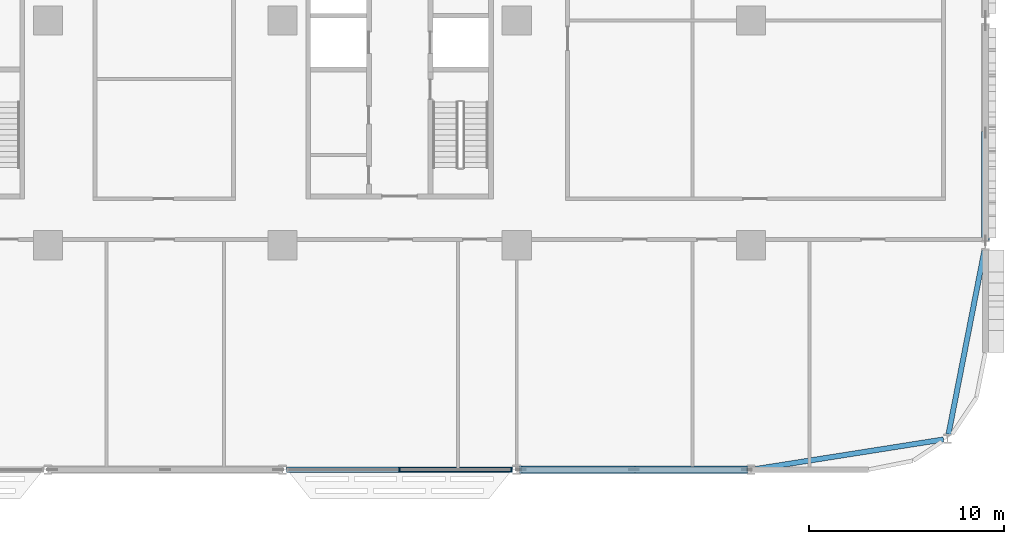
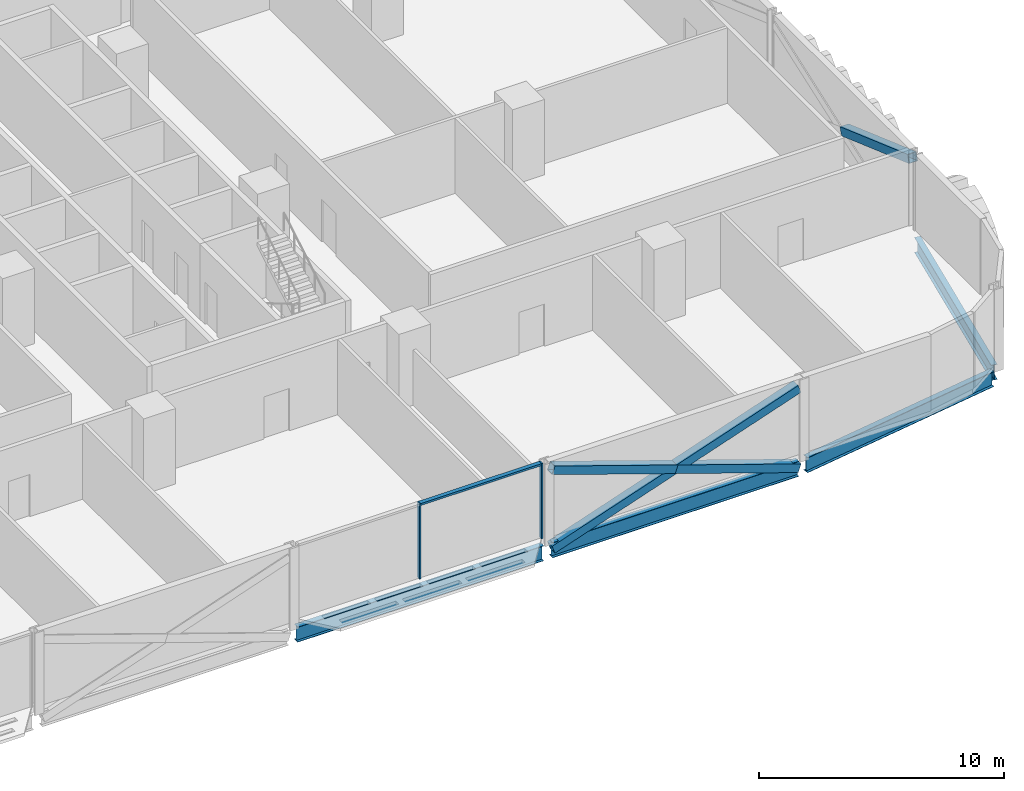
# One storey, part 8 of 29: 7 members, 4 beams, 1 element without a shape of its own.
"""IFC4 building model written with IfcOpenShell, lengths in metres."""

from ifc_helpers import new_model, si_unit, direction, frame, origin, origin_2d, place, context, subcontext, project, spatial, rectangle, hollow_rectangle, i_section, extrude, material, material_profile, profile_set, type_object, element, aggregate, save


model = new_model("IFC4")

# Units and contexts
model_context = context("Model", 3, precision=1e-05, world=origin(), true_north=direction((0.0, 1.0)))
body_context = subcontext(model_context, "Body", "Model", "MODEL_VIEW")
ifc_project = project(units=[si_unit("LENGTHUNIT", "METRE"), si_unit("AREAUNIT", "SQUARE_METRE"), si_unit("VOLUMEUNIT", "CUBIC_METRE"), si_unit("PLANEANGLEUNIT", "RADIAN"), si_unit("MASSUNIT", "GRAM", prefix="KILO")], contexts=[model_context])

# Site, building, storey
site_placement = place(None, origin())
site = spatial("IfcSite", under=ifc_project, at=site_placement, CompositionType="ELEMENT")
building_placement = place(site_placement, origin())
building = spatial("IfcBuilding", under=site, at=building_placement, Name="Mahtab Terrace Research Tower", CompositionType="ELEMENT")
storey_placement = place(building_placement, frame((0.0, 0.0, 76.10009765625)))
storey = spatial("IfcBuildingStorey", under=building, at=storey_placement, Name="L17", CompositionType="ELEMENT", Elevation=76.10009765625)

# Members
ifc_material_1 = material(Name="Steel ASTM A500 Gr C", Category="steel")
ifc_material_profile_1 = material_profile(ifc_material_1, hollow_rectangle(XDim=0.406494140625, YDim=0.406494140625, WallThickness=0.01904296875, at=origin_2d()), Name="HSS16X16X3/4")
ifc_profile_set_1 = profile_set([ifc_material_profile_1], Name="Steel ASTM A500 Gr C")
member_type_1 = type_object("IfcMemberType", Name="HSS 16x16x3/4 brace XB161634", PredefinedType="BRACE", material=ifc_profile_set_1)
member_1_placement = place(storey_placement, frame((30.212158203125, -23.0, -0.646240234375), z_axis=(0.946533742382, 0.0, 0.322604827201), x_axis=(0.0, 1.0, 0.0)))
element("IfcMember", 1, at=member_1_placement, inside=storey, type_object=member_type_1, Name="Exoskeleton brace L17 19 a", PredefinedType="BRACE", context=body_context, shape_type="SweptSolid", body=[
    extrude(hollow_rectangle(XDim=0.406494140625, YDim=0.406494140625, WallThickness=0.01904296875, at=origin_2d()), origin(), (0.0, 0.0, 1.0), 12.2294921875),
])
for number, where, z_axis, x_axis, name in (
    (2, (41.787841796875, -23.0, -0.646240234375), (-0.946533742382, 0.0, 0.322604827201), (0.0, -1.0, 0.0), "Exoskeleton brace L17 19 b1"),
    (3, (36.0, -23.0, 1.326416015625), (-0.946533742382, 0.0, 0.322604827201), (0.0, -1.0, 0.0), "Exoskeleton brace L17 19 b2"),
):
    element("IfcMember", number, at=place(storey_placement, frame(where, z_axis=z_axis, x_axis=x_axis)), inside=storey, type_object=member_type_1, Name=name, PredefinedType="BRACE", context=body_context, shape_type="SweptSolid", body=[
        extrude(hollow_rectangle(XDim=0.406494140625, YDim=0.406494140625, WallThickness=0.01904296875, at=origin_2d()), origin(), (0.0, 0.0, 1.0), 6.11474609375),
    ])
member_2_placement = place(storey_placement, frame((54.0, -5.75, 1.326416015625), z_axis=(0.0, -0.942189515098, 0.335080464424), x_axis=(1.0, 0.0, 0.0)))
element("IfcMember", 4, at=member_2_placement, inside=storey, type_object=member_type_1, Name="Exoskeleton brace L17 22 b2", PredefinedType="BRACE", context=body_context, shape_type="SweptSolid", body=[
    extrude(hollow_rectangle(XDim=0.406494140625, YDim=0.406494140625, WallThickness=0.01904296875, at=origin_2d()), origin(), (0.0, 0.0, 1.0), 5.8505859375),
])

# Curtain wall, members
ifc_material_2 = material(Name="Laboratory ribbon curtain wall")
curtain_wall_type = type_object("IfcCurtainWallType", Name="Laboratory ribbon curtain wall", PredefinedType="NOTDEFINED", material=ifc_material_2)
curtain_wall_placement = place(storey_placement, origin())
curtain_wall = element("IfcCurtainWall", 5, at=curtain_wall_placement, inside=storey, type_object=curtain_wall_type, Name="EN.L17.13.28", PredefinedType="NOTDEFINED")
ifc_material_3 = material(Name="Natural anodised aluminium", Category="aluminium")
ifc_material_profile_2 = material_profile(ifc_material_3, rectangle(XDim=0.199951171875, YDim=0.06494140625, at=origin_2d()), Name="MULLION 65x200")
ifc_profile_set_2 = profile_set([ifc_material_profile_2], Name="Natural anodised aluminium")
member_type_2 = type_object("IfcMemberType", Name="Laboratory ribbon curtain wall mullion", PredefinedType="MULLION", material=ifc_profile_set_2)
member_3_placement = place(storey_placement, frame((24.0, -23.0, 0.0), z_axis=(0.0, 0.0, 1.0), x_axis=(0.0, 1.0, 0.0)))
member_3 = element("IfcMember", 6, at=member_3_placement, type_object=member_type_2, Name="CWL-2 mullion 2", PredefinedType="MULLION", context=body_context, shape_type="SweptSolid", body=[
    extrude(rectangle(XDim=0.199951171875, YDim=0.06494140625, at=origin_2d()), origin(), (0.0, 0.0, 1.0), 3.75),
])
member_4_placement = place(storey_placement, frame((29.7294921875, -23.0, 0.0), z_axis=(0.0, 0.0, 1.0), x_axis=(0.0, 1.0, 0.0)))
member_4 = element("IfcMember", 7, at=member_4_placement, type_object=member_type_2, Name="CWL-2 mullion 3", PredefinedType="MULLION", context=body_context, shape_type="SweptSolid", body=[
    extrude(rectangle(XDim=0.199951171875, YDim=0.06494140625, at=origin_2d()), origin(), (0.0, 0.0, 1.0), 3.75),
])
ifc_material_profile_3 = material_profile(ifc_material_3, rectangle(XDim=0.199951171875, YDim=0.10009765625, at=origin_2d()), Name="TRANSOM 100x200")
ifc_profile_set_3 = profile_set([ifc_material_profile_3], Name="Natural anodised aluminium")
member_type_3 = type_object("IfcMemberType", Name="Laboratory ribbon curtain wall transom", PredefinedType="USERDEFINED", material=ifc_profile_set_3)
member_5_placement = place(storey_placement, frame((24.032470703125, -23.0, 3.699951171875), z_axis=(1.0, 0.0, 0.0), x_axis=(0.0, 1.0, 0.0)))
member_5 = element("IfcMember", 8, at=member_5_placement, type_object=member_type_3, Name="CWL-2 transom 2", ObjectType="TRANSOM", PredefinedType="USERDEFINED", context=body_context, shape_type="SweptSolid", body=[
    extrude(rectangle(XDim=0.199951171875, YDim=0.10009765625, at=origin_2d()), origin(), (0.0, 0.0, 1.0), 5.66455078125),
])
aggregate(curtain_wall, [member_3, member_4, member_5])

# Beams
ifc_material_4 = material(Name="Steel ASTM A992 Gr 50", Category="steel")
ifc_material_profile_4 = material_profile(ifc_material_4, i_section(OverallWidth=0.2666015625, OverallDepth=0.7568359375, WebThickness=0.013916015625, FlangeThickness=0.019287109375, at=origin_2d()), Name="W30X108")
ifc_profile_set_4 = profile_set([ifc_material_profile_4], Name="Steel ASTM A992 Gr 50")
beam_type = type_object("IfcBeamType", Name="W30x108 beam BS30108", PredefinedType="BEAM", material=ifc_profile_set_4)
for number, where, z_axis, x_axis, name in (
    (9, (18.212158203125, -23.0, -0.718505859375), (1.0, 0.0, 0.0), (0.0, 1.0, 0.0), "Spandrel beam L17 18"),
    (10, (30.212158203125, -23.0, -0.718505859375), (1.0, 0.0, 0.0), (0.0, 1.0, 0.0), "Spandrel beam L17 19"),
):
    element("IfcBeam", number, at=place(storey_placement, frame(where, z_axis=z_axis, x_axis=x_axis)), inside=storey, type_object=beam_type, Name=name, PredefinedType="BEAM", context=body_context, shape_type="SweptSolid", body=[
        extrude(i_section(OverallWidth=0.2666015625, OverallDepth=0.7568359375, WebThickness=0.013916015625, FlangeThickness=0.019287109375, at=origin_2d()), origin(), (0.0, 0.0, 1.0), 11.57568359375),
    ])
beam_1_placement = place(storey_placement, frame((42.212158203125, -22.966552734375, -0.718505859375), z_axis=(0.987836303792, 0.155497385545, 0.0), x_axis=(-0.155497385545, 0.987836303792, 0.0)))
element("IfcBeam", 11, at=beam_1_placement, inside=storey, type_object=beam_type, Name="Spandrel beam L17 20", PredefinedType="BEAM", context=body_context, shape_type="SweptSolid", body=[
    extrude(i_section(OverallWidth=0.2666015625, OverallDepth=0.7568359375, WebThickness=0.013916015625, FlangeThickness=0.019287109375, at=origin_2d()), origin(), (0.0, 0.0, 1.0), 9.75634765625),
])
beam_2_placement = place(storey_placement, frame((52.1083984375, -21.178466796875, -0.718505859375), z_axis=(0.191819239661, 0.981430272254, 0.0), x_axis=(-0.981430272254, 0.191819239661, 0.0)))
element("IfcBeam", 12, at=beam_2_placement, inside=storey, type_object=beam_type, Name="Spandrel beam L17 21", PredefinedType="BEAM", context=body_context, shape_type="SweptSolid", body=[
    extrude(i_section(OverallWidth=0.2666015625, OverallDepth=0.7568359375, WebThickness=0.013916015625, FlangeThickness=0.019287109375, at=origin_2d()), origin(), (0.0, 0.0, 1.0), 9.61962890625),
])

save(model, "model.ifc")
